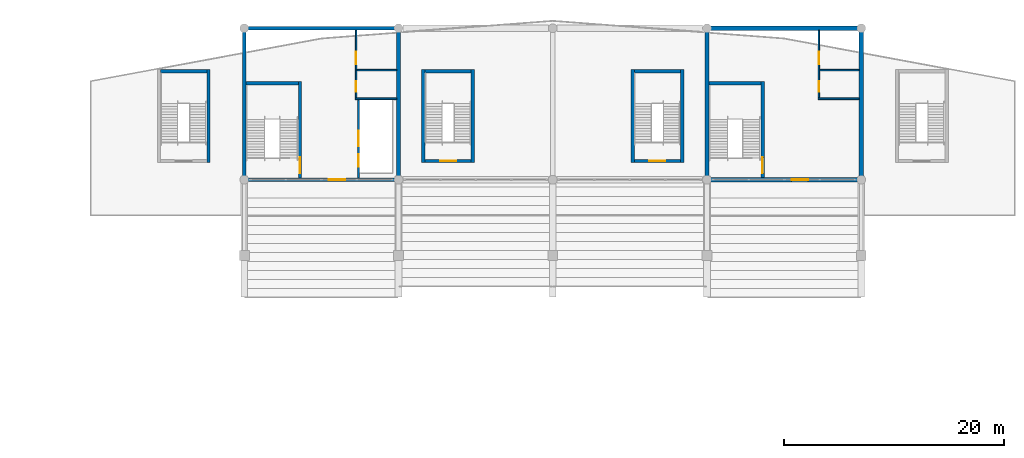
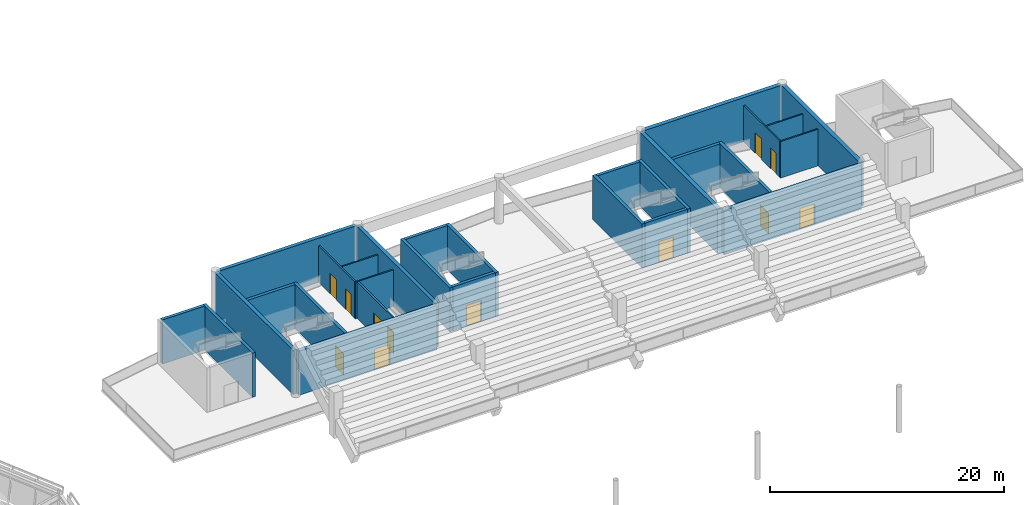
# One storey, part 76 of 94: 29 walls, 12 doors, 12 openings.
"""IFC4 building model written with IfcOpenShell, lengths in metres."""

from ifc_helpers import new_model, si_unit, direction, frame, frame_2d, origin, place, context, subcontext, project, spatial, rectangle, extrude, material, layer, layer_set, type_object, element, fill, save


model = new_model("IFC4")

# Units and contexts
model_context = context("Model", 3, precision=1e-05, world=origin(), true_north=direction((0.0, 1.0)))
body_context = subcontext(model_context, "Body", "Model", "MODEL_VIEW")
ifc_project = project(units=[si_unit("LENGTHUNIT", "METRE"), si_unit("AREAUNIT", "SQUARE_METRE"), si_unit("VOLUMEUNIT", "CUBIC_METRE"), si_unit("PLANEANGLEUNIT", "RADIAN"), si_unit("MASSUNIT", "GRAM", prefix="KILO")], contexts=[model_context])

# Site, building, storey
site_placement = place(None, origin())
site = spatial("IfcSite", under=ifc_project, at=site_placement, CompositionType="ELEMENT")
building_placement = place(site_placement, origin())
building = spatial("IfcBuilding", under=site, at=building_placement, Name="Linyun Crest Stadium", CompositionType="ELEMENT")
storey_placement = place(building_placement, frame((0.0, 0.0, 16.199951171875)))
storey = spatial("IfcBuildingStorey", under=building, at=storey_placement, Name="L04", CompositionType="ELEMENT", Elevation=16.199951171875)

# Walls
ifc_material_1 = material(Name="Concrete C50", Category="concrete")
ifc_layer_1 = layer(ifc_material_1, 0.35009765625)
ifc_layer_set_1 = layer_set([ifc_layer_1], Name="Concrete C50")
wall_type_1 = type_object("IfcWallType", Name="CW01", PredefinedType="SHEAR", material=ifc_layer_set_1)
for number, where, z_axis, x_axis, name in (
    (1, (-28.0, 91.675048828125, 0.0), (0.0, 0.0, 1.0), (0.0, 1.0, 0.0), "Core shear wall CW01 CORE-N1 L04.1"),
    (2, (-14.0, 91.675048828125, 0.0), (0.0, 0.0, 1.0), (0.0, 1.0, 0.0), "Core shear wall CW01 CORE-N1 L04.2"),
):
    element("IfcWall", number, at=place(storey_placement, frame(where, z_axis=z_axis, x_axis=x_axis)), inside=storey, type_object=wall_type_1, Name=name, PredefinedType="SHEAR", context=body_context, shape_type="SweptSolid", body=[
        extrude(rectangle(XDim=13.39990234375, YDim=0.35009765625, at=frame_2d((6.699951171875, 0.0))), origin(), (0.0, 0.0, 1.0), 4.6201171875),
    ])

# Wall, opening, door
wall_1_placement = place(storey_placement, frame((-27.824951171875, 91.5, 0.0), z_axis=(0.0, 0.0, 1.0), x_axis=(1.0, 0.0, 0.0)))
wall_1 = element("IfcWall", 3, at=wall_1_placement, inside=storey, type_object=wall_type_1, Name="Core shear wall CW01 CORE-N1 L04.3", PredefinedType="SHEAR", context=body_context, shape_type="SweptSolid", body=[
    extrude(rectangle(XDim=13.64990234375, YDim=0.35009765625, at=frame_2d((6.824951171875, 0.0))), origin(), (0.0, 0.0, 1.0), 4.6201171875),
])
opening_1_placement = place(wall_1_placement, frame((7.507080078125, 0.0, 0.0)))
opening_1 = element("IfcOpeningElement", 4, at=opening_1_placement, cuts=wall_1, Name="Opening D-L04-280", PredefinedType="OPENING", context=body_context, shape_type="SweptSolid", body=[
    extrude(rectangle(XDim=1.5, YDim=2.199951171875, at=frame_2d((0.75, 1.10009765625))), frame((0.0, 0.18505859375, 0.0), z_axis=(0.0, -1.0, 0.0), x_axis=(1.0, 0.0, 0.0)), (0.0, 0.0, 1.0), 0.3701171875),
])
ifc_material_2 = material(Name="Galvanized steel Class A fire door", Category="steel")
ifc_layer_2 = layer(ifc_material_2, 0.054931640625)
ifc_layer_set_2 = layer_set([ifc_layer_2], Name="Galvanized steel Class A fire door")
door_type_1 = type_object("IfcDoorType", Name="FD01", OperationType="NOTDEFINED", PredefinedType="DOOR", material=ifc_layer_set_2)
door_1_placement = place(opening_1_placement, origin())
door_1 = element("IfcDoor", 5, at=door_1_placement, inside=storey, type_object=door_type_1, Name="Door D-L04-280", OperationType="SINGLE_SWING_RIGHT", OverallHeight=2.199951171875, OverallWidth=1.5, PredefinedType="DOOR", context=body_context, shape_type="SweptSolid", body=[
    extrude(rectangle(XDim=1.5, YDim=2.199951171875, at=frame_2d((0.75, 1.10009765625))), frame((0.0, 0.02490234375, 0.0), z_axis=(0.0, -1.0, 0.0), x_axis=(1.0, 0.0, 0.0)), (0.0, 0.0, 1.0), 0.050048828125),
])
fill(opening_1, door_1)

# Walls
wall_2_placement = place(storey_placement, frame((-27.824951171875, 105.25, 0.0), z_axis=(0.0, 0.0, 1.0), x_axis=(1.0, 0.0, 0.0)))
element("IfcWall", 6, at=wall_2_placement, inside=storey, type_object=wall_type_1, Name="Core shear wall CW01 CORE-N1 L04.4", PredefinedType="SHEAR", context=body_context, shape_type="SweptSolid", body=[
    extrude(rectangle(XDim=13.64990234375, YDim=0.35009765625, at=frame_2d((6.824951171875, 0.0))), origin(), (0.0, 0.0, 1.0), 4.6201171875),
])
ifc_material_3 = material(Name="Concrete C50", Category="concrete")
ifc_layer_3 = layer(ifc_material_3, 0.39990234375)
ifc_layer_set_3 = layer_set([ifc_layer_3], Name="Concrete C50")
wall_type_2 = type_object("IfcWallType", Name="CW02", PredefinedType="SHEAR", material=ifc_layer_set_3)
for number, where, z_axis, x_axis, name in (
    (7, (14.0, 91.699951171875, 0.0), (0.0, 0.0, 1.0), (0.0, 1.0, 0.0), "Core shear wall CW02 CORE-N2 L04.1"),
    (8, (28.0, 91.699951171875, 0.0), (0.0, 0.0, 1.0), (0.0, 1.0, 0.0), "Core shear wall CW02 CORE-N2 L04.2"),
):
    element("IfcWall", number, at=place(storey_placement, frame(where, z_axis=z_axis, x_axis=x_axis)), inside=storey, type_object=wall_type_2, Name=name, PredefinedType="SHEAR", context=body_context, shape_type="SweptSolid", body=[
        extrude(rectangle(XDim=13.35009765625, YDim=0.39990234375, at=frame_2d((6.675048828125, 0.0))), origin(), (0.0, 0.0, 1.0), 4.6201171875),
    ])

# Wall, opening, door
wall_3_placement = place(storey_placement, frame((14.199951171875, 91.5, 0.0), z_axis=(0.0, 0.0, 1.0), x_axis=(1.0, 0.0, 0.0)))
wall_3 = element("IfcWall", 9, at=wall_3_placement, inside=storey, type_object=wall_type_2, Name="Core shear wall CW02 CORE-N2 L04.3", PredefinedType="SHEAR", context=body_context, shape_type="SweptSolid", body=[
    extrude(rectangle(XDim=13.60009765625, YDim=0.39990234375, at=frame_2d((6.800048828125, 0.0))), origin(), (0.0, 0.0, 1.0), 4.6201171875),
])
opening_2_placement = place(wall_3_placement, frame((7.47998046875, 0.0, 0.0)))
opening_2 = element("IfcOpeningElement", 10, at=opening_2_placement, cuts=wall_3, Name="Opening D-L04-308", PredefinedType="OPENING", context=body_context, shape_type="SweptSolid", body=[
    extrude(rectangle(XDim=1.5, YDim=2.199951171875, at=frame_2d((0.75, 1.10009765625))), frame((0.0, 0.2099609375, 0.0), z_axis=(0.0, -1.0, 0.0), x_axis=(1.0, 0.0, 0.0)), (0.0, 0.0, 1.0), 0.419921875),
])
door_2_placement = place(opening_2_placement, origin())
door_2 = element("IfcDoor", 11, at=door_2_placement, inside=storey, type_object=door_type_1, Name="Door D-L04-308", OperationType="SINGLE_SWING_RIGHT", OverallHeight=2.199951171875, OverallWidth=1.5, PredefinedType="DOOR", context=body_context, shape_type="SweptSolid", body=[
    extrude(rectangle(XDim=1.5, YDim=2.199951171875, at=frame_2d((0.75, 1.10009765625))), frame((0.0, 0.02490234375, 0.0), z_axis=(0.0, -1.0, 0.0), x_axis=(1.0, 0.0, 0.0)), (0.0, 0.0, 1.0), 0.050048828125),
])
fill(opening_2, door_2)

# Wall
wall_4_placement = place(storey_placement, frame((14.199951171875, 105.25, 0.0), z_axis=(0.0, 0.0, 1.0), x_axis=(1.0, 0.0, 0.0)))
element("IfcWall", 12, at=wall_4_placement, inside=storey, type_object=wall_type_2, Name="Core shear wall CW02 CORE-N2 L04.4", PredefinedType="SHEAR", context=body_context, shape_type="SweptSolid", body=[
    extrude(rectangle(XDim=13.60009765625, YDim=0.39990234375, at=frame_2d((6.800048828125, 0.0))), origin(), (0.0, 0.0, 1.0), 4.6201171875),
])

# Wall, openings, doors
ifc_material_4 = material(Name="Autoclaved aerated concrete block fire partition", Category="concrete")
ifc_layer_4 = layer(ifc_material_4, 0.179931640625)
ifc_layer_set_4 = layer_set([ifc_layer_4], Name="Autoclaved aerated concrete block fire partition")
wall_type_3 = type_object("IfcWallType", Name="PW12", PredefinedType="PARTITIONING", material=ifc_layer_set_4)
wall_5_placement = place(storey_placement, frame((-17.64990234375, 91.675048828125, 0.0), z_axis=(0.0, 0.0, 1.0), x_axis=(0.0, 1.0, 0.0)))
wall_5 = element("IfcWall", 13, at=wall_5_placement, inside=storey, type_object=wall_type_3, Name="Partition PW12 L04 101", PredefinedType="PARTITIONING", context=body_context, shape_type="SweptSolid", body=[
    extrude(rectangle(XDim=7.10498046875, YDim=0.179931640625, at=frame_2d((3.552490234375, 0.0))), origin(), (0.0, 0.0, 1.0), 3.820068359375),
])
opening_3_placement = place(wall_5_placement, frame((1.02490234375, 0.0, 0.0)))
opening_3 = element("IfcOpeningElement", 14, at=opening_3_placement, cuts=wall_5, Name="Opening LD093", PredefinedType="OPENING", context=body_context, shape_type="SweptSolid", body=[
    extrude(rectangle(XDim=1.10009765625, YDim=2.199951171875, at=frame_2d((0.550048828125, 1.10009765625))), frame((0.0, 0.099853515625, 0.0), z_axis=(0.0, -1.0, 0.0), x_axis=(1.0, 0.0, 0.0)), (0.0, 0.0, 1.0), 0.199951171875),
])
opening_4_placement = place(wall_5_placement, frame((2.875, 0.0, 0.0)))
opening_4 = element("IfcOpeningElement", 15, at=opening_4_placement, cuts=wall_5, Name="Opening LD094", PredefinedType="OPENING", context=body_context, shape_type="SweptSolid", body=[
    extrude(rectangle(XDim=1.39990234375, YDim=2.300048828125, at=frame_2d((0.699951171875, 1.14990234375))), frame((0.0, 0.099853515625, 0.0), z_axis=(0.0, -1.0, 0.0), x_axis=(1.0, 0.0, 0.0)), (0.0, 0.0, 1.0), 0.199951171875),
])
ifc_material_5 = material(Name="Brushed stainless sliding lift door")
ifc_layer_5 = layer(ifc_material_5, 0.050048828125)
ifc_layer_set_5 = layer_set([ifc_layer_5], Name="Brushed stainless sliding lift door")
door_type_2 = type_object("IfcDoorType", Name="LD01", OperationType="NOTDEFINED", PredefinedType="DOOR", material=ifc_layer_set_5)
door_3_placement = place(opening_3_placement, origin())
door_3 = element("IfcDoor", 16, at=door_3_placement, inside=storey, type_object=door_type_2, Name="Lift landing door LD093", OperationType="DOUBLE_DOOR_SLIDING", OverallHeight=2.199951171875, OverallWidth=1.10009765625, PredefinedType="DOOR", context=body_context, shape_type="SweptSolid", body=[
    extrude(rectangle(XDim=1.10009765625, YDim=2.199951171875, at=frame_2d((0.550048828125, 1.10009765625))), frame((0.0, 0.02490234375, 0.0), z_axis=(0.0, -1.0, 0.0), x_axis=(1.0, 0.0, 0.0)), (0.0, 0.0, 1.0), 0.050048828125),
])
fill(opening_3, door_3)
ifc_material_6 = material(Name="Heavy-duty stainless sliding door")
ifc_layer_6 = layer(ifc_material_6, 0.054931640625)
ifc_layer_set_6 = layer_set([ifc_layer_6], Name="Heavy-duty stainless sliding door")
door_type_3 = type_object("IfcDoorType", Name="LD03", OperationType="NOTDEFINED", PredefinedType="DOOR", material=ifc_layer_set_6)
door_4_placement = place(opening_4_placement, origin())
door_4 = element("IfcDoor", 17, at=door_4_placement, inside=storey, type_object=door_type_3, Name="Lift landing door LD094", OperationType="DOUBLE_DOOR_SLIDING", OverallHeight=2.300048828125, OverallWidth=1.39990234375, PredefinedType="DOOR", context=body_context, shape_type="SweptSolid", body=[
    extrude(rectangle(XDim=1.39990234375, YDim=2.300048828125, at=frame_2d((0.699951171875, 1.14990234375))), frame((0.0, 0.02490234375, 0.0), z_axis=(0.0, -1.0, 0.0), x_axis=(1.0, 0.0, 0.0)), (0.0, 0.0, 1.0), 0.050048828125),
])
fill(opening_4, door_4)

ifc_material_7 = material(Name="Moisture-resistant ceramic-tiled wet-room wall")
ifc_layer_7 = layer(ifc_material_7, 0.139892578125)
ifc_layer_set_7 = layer_set([ifc_layer_7], Name="Moisture-resistant ceramic-tiled wet-room wall")
wall_type_4 = type_object("IfcWallType", Name="PW15", PredefinedType="PARTITIONING", material=ifc_layer_set_7)
wall_6_placement = place(storey_placement, frame((-17.85009765625, 98.919921875, 0.0), z_axis=(0.0, 0.0, 1.0), x_axis=(0.0, 1.0, 0.0)))
wall_6 = element("IfcWall", 18, at=wall_6_placement, inside=storey, type_object=wall_type_4, Name="Partition PW15 L04 102", PredefinedType="PARTITIONING", context=body_context, shape_type="SweptSolid", body=[
    extrude(rectangle(XDim=6.155029296875, YDim=0.139892578125, at=frame_2d((3.07763671875, 0.0))), origin(), (0.0, 0.0, 1.0), 3.820068359375),
])
opening_5_placement = place(wall_6_placement, frame((0.580078125, 0.0, 0.0)))
opening_5 = element("IfcOpeningElement", 19, at=opening_5_placement, cuts=wall_6, Name="Opening D-L04-284", PredefinedType="OPENING", context=body_context, shape_type="SweptSolid", body=[
    extrude(rectangle(XDim=0.949951171875, YDim=2.14990234375, at=frame_2d((0.47509765625, 1.074951171875))), frame((0.0, 0.079833984375, 0.0), z_axis=(0.0, -1.0, 0.0), x_axis=(1.0, 0.0, 0.0)), (0.0, 0.0, 1.0), 0.159912109375),
])
opening_6_placement = place(wall_6_placement, frame((3.080078125, 0.0, 0.0)))
opening_6 = element("IfcOpeningElement", 20, at=opening_6_placement, cuts=wall_6, Name="Opening D-L04-285", PredefinedType="OPENING", context=body_context, shape_type="SweptSolid", body=[
    extrude(rectangle(XDim=1.10009765625, YDim=2.14990234375, at=frame_2d((0.550048828125, 1.074951171875))), frame((0.0, 0.079833984375, 0.0), z_axis=(0.0, -1.0, 0.0), x_axis=(1.0, 0.0, 0.0)), (0.0, 0.0, 1.0), 0.159912109375),
])
ifc_material_8 = material(Name="Moisture-resistant laminate leaf")
ifc_layer_8 = layer(ifc_material_8, 0.044921875)
ifc_layer_set_8 = layer_set([ifc_layer_8], Name="Moisture-resistant laminate leaf")
door_type_4 = type_object("IfcDoorType", Name="ID02", OperationType="NOTDEFINED", PredefinedType="DOOR", material=ifc_layer_set_8)
door_5_placement = place(opening_5_placement, origin())
door_5 = element("IfcDoor", 21, at=door_5_placement, inside=storey, type_object=door_type_4, Name="Door D-L04-284", OperationType="SINGLE_SWING_RIGHT", OverallHeight=2.14990234375, OverallWidth=0.949951171875, PredefinedType="DOOR", context=body_context, shape_type="SweptSolid", body=[
    extrude(rectangle(XDim=0.949951171875, YDim=2.14990234375, at=frame_2d((0.47509765625, 1.074951171875))), frame((0.0, 0.02490234375, 0.0), z_axis=(0.0, -1.0, 0.0), x_axis=(1.0, 0.0, 0.0)), (0.0, 0.0, 1.0), 0.050048828125),
])
fill(opening_5, door_5)
ifc_material_9 = material(Name="Moisture-resistant laminate leaf")
ifc_layer_9 = layer(ifc_material_9, 0.044921875)
ifc_layer_set_9 = layer_set([ifc_layer_9], Name="Moisture-resistant laminate leaf")
door_type_5 = type_object("IfcDoorType", Name="ID03", OperationType="NOTDEFINED", PredefinedType="DOOR", material=ifc_layer_set_9)
door_6_placement = place(opening_6_placement, origin())
door_6 = element("IfcDoor", 22, at=door_6_placement, inside=storey, type_object=door_type_5, Name="Door D-L04-285", OperationType="SINGLE_SWING_LEFT", OverallHeight=2.14990234375, OverallWidth=1.10009765625, PredefinedType="DOOR", context=body_context, shape_type="SweptSolid", body=[
    extrude(rectangle(XDim=1.10009765625, YDim=2.14990234375, at=frame_2d((0.550048828125, 1.074951171875))), frame((0.0, 0.02490234375, 0.0), z_axis=(0.0, -1.0, 0.0), x_axis=(1.0, 0.0, 0.0)), (0.0, 0.0, 1.0), 0.050048828125),
])
fill(opening_6, door_6)

wall_7_placement = place(storey_placement, frame((24.14990234375, 98.919921875, 0.0), z_axis=(0.0, 0.0, 1.0), x_axis=(0.0, 1.0, 0.0)))
wall_7 = element("IfcWall", 23, at=wall_7_placement, inside=storey, type_object=wall_type_4, Name="Partition PW15 L04 109", PredefinedType="PARTITIONING", context=body_context, shape_type="SweptSolid", body=[
    extrude(rectangle(XDim=6.130126953125, YDim=0.139892578125, at=frame_2d((3.06494140625, 0.0))), origin(), (0.0, 0.0, 1.0), 3.820068359375),
])
opening_7_placement = place(wall_7_placement, frame((0.580078125, 0.0, 0.0)))
opening_7 = element("IfcOpeningElement", 24, at=opening_7_placement, cuts=wall_7, Name="Opening D-L04-310", PredefinedType="OPENING", context=body_context, shape_type="SweptSolid", body=[
    extrude(rectangle(XDim=0.949951171875, YDim=2.14990234375, at=frame_2d((0.47509765625, 1.074951171875))), frame((0.0, 0.079833984375, 0.0), z_axis=(0.0, -1.0, 0.0), x_axis=(1.0, 0.0, 0.0)), (0.0, 0.0, 1.0), 0.159912109375),
])
opening_8_placement = place(wall_7_placement, frame((3.080078125, 0.0, 0.0)))
opening_8 = element("IfcOpeningElement", 25, at=opening_8_placement, cuts=wall_7, Name="Opening D-L04-311", PredefinedType="OPENING", context=body_context, shape_type="SweptSolid", body=[
    extrude(rectangle(XDim=1.10009765625, YDim=2.14990234375, at=frame_2d((0.550048828125, 1.074951171875))), frame((0.0, 0.079833984375, 0.0), z_axis=(0.0, -1.0, 0.0), x_axis=(1.0, 0.0, 0.0)), (0.0, 0.0, 1.0), 0.159912109375),
])
door_7_placement = place(opening_7_placement, origin())
door_7 = element("IfcDoor", 26, at=door_7_placement, inside=storey, type_object=door_type_4, Name="Door D-L04-310", OperationType="SINGLE_SWING_RIGHT", OverallHeight=2.14990234375, OverallWidth=0.949951171875, PredefinedType="DOOR", context=body_context, shape_type="SweptSolid", body=[
    extrude(rectangle(XDim=0.949951171875, YDim=2.14990234375, at=frame_2d((0.47509765625, 1.074951171875))), frame((0.0, 0.02490234375, 0.0), z_axis=(0.0, -1.0, 0.0), x_axis=(1.0, 0.0, 0.0)), (0.0, 0.0, 1.0), 0.050048828125),
])
fill(opening_7, door_7)
door_8_placement = place(opening_8_placement, origin())
door_8 = element("IfcDoor", 27, at=door_8_placement, inside=storey, type_object=door_type_5, Name="Door D-L04-311", OperationType="SINGLE_SWING_LEFT", OverallHeight=2.14990234375, OverallWidth=1.10009765625, PredefinedType="DOOR", context=body_context, shape_type="SweptSolid", body=[
    extrude(rectangle(XDim=1.10009765625, YDim=2.14990234375, at=frame_2d((0.550048828125, 1.074951171875))), frame((0.0, 0.02490234375, 0.0), z_axis=(0.0, -1.0, 0.0), x_axis=(1.0, 0.0, 0.0)), (0.0, 0.0, 1.0), 0.050048828125),
])
fill(opening_8, door_8)

# Walls
wall_8_placement = place(storey_placement, frame((-17.919921875, 98.85009765625, 0.0), z_axis=(0.0, 0.0, 1.0), x_axis=(1.0, 0.0, 0.0)))
element("IfcWall", 28, at=wall_8_placement, inside=storey, type_object=wall_type_4, Name="Enclosure partition PW15 L04 87", PredefinedType="PARTITIONING", context=body_context, shape_type="SweptSolid", body=[
    extrude(rectangle(XDim=3.744873046875, YDim=0.139892578125, at=frame_2d((1.87255859375, 0.0))), origin(), (0.0, 0.0, 1.0), 3.820068359375),
])
wall_9_placement = place(storey_placement, frame((-17.780029296875, 101.449951171875, 0.0), z_axis=(0.0, 0.0, 1.0), x_axis=(1.0, 0.0, 0.0)))
element("IfcWall", 29, at=wall_9_placement, inside=storey, type_object=wall_type_4, Name="Enclosure partition PW15 L04 88", PredefinedType="PARTITIONING", context=body_context, shape_type="SweptSolid", body=[
    extrude(rectangle(XDim=3.60498046875, YDim=0.139892578125, at=frame_2d((1.802490234375, 0.0))), origin(), (0.0, 0.0, 1.0), 3.820068359375),
])
wall_10_placement = place(storey_placement, frame((24.080078125, 98.85009765625, 0.0), z_axis=(0.0, 0.0, 1.0), x_axis=(1.0, 0.0, 0.0)))
element("IfcWall", 30, at=wall_10_placement, inside=storey, type_object=wall_type_4, Name="Enclosure partition PW15 L04 99", PredefinedType="PARTITIONING", context=body_context, shape_type="SweptSolid", body=[
    extrude(rectangle(XDim=3.719970703125, YDim=0.139892578125, at=frame_2d((1.85986328125, 0.0))), origin(), (0.0, 0.0, 1.0), 3.820068359375),
])
wall_11_placement = place(storey_placement, frame((24.219970703125, 101.449951171875, 0.0), z_axis=(0.0, 0.0, 1.0), x_axis=(1.0, 0.0, 0.0)))
element("IfcWall", 31, at=wall_11_placement, inside=storey, type_object=wall_type_4, Name="Enclosure partition PW15 L04 100", PredefinedType="PARTITIONING", context=body_context, shape_type="SweptSolid", body=[
    extrude(rectangle(XDim=3.580078125, YDim=0.139892578125, at=frame_2d((1.7900390625, 0.0))), origin(), (0.0, 0.0, 1.0), 3.820068359375),
])

# Wall, opening, door
ifc_material_10 = material(Name="Concrete C50", Category="concrete")
ifc_layer_10 = layer(ifc_material_10, 0.300048828125)
ifc_layer_set_10 = layer_set([ifc_layer_10], Name="Concrete C50")
wall_type_5 = type_object("IfcWallType", Name="SW01", PredefinedType="SHEAR", material=ifc_layer_set_10)
wall_12_placement = place(storey_placement, frame((-22.949951171875, 91.675048828125, 0.0), z_axis=(0.0, 0.0, 1.0), x_axis=(0.0, 1.0, 0.0)))
wall_12 = element("IfcWall", 32, at=wall_12_placement, inside=storey, type_object=wall_type_5, Name="Core stair east bearing wall SW01 7 L04", PredefinedType="SHEAR", context=body_context, shape_type="SweptSolid", body=[
    extrude(rectangle(XDim=8.724853515625, YDim=0.300048828125, at=frame_2d((4.3623046875, 0.0))), origin(), (0.0, 0.0, 1.0), 4.6201171875),
])
opening_9_placement = place(wall_12_placement, frame((0.39501953125, 0.0, 0.0)))
opening_9 = element("IfcOpeningElement", 33, at=opening_9_placement, cuts=wall_12, Name="Opening D-L04-281", PredefinedType="OPENING", context=body_context, shape_type="SweptSolid", body=[
    extrude(rectangle(XDim=1.449951171875, YDim=2.199951171875, at=frame_2d((0.72509765625, 1.10009765625))), frame((0.0, 0.159912109375, 0.0), z_axis=(0.0, -1.0, 0.0), x_axis=(1.0, 0.0, 0.0)), (0.0, 0.0, 1.0), 0.320068359375),
])
ifc_material_11 = material(Name="Galvanized steel Class A fire door", Category="steel")
ifc_layer_11 = layer(ifc_material_11, 0.054931640625)
ifc_layer_set_11 = layer_set([ifc_layer_11], Name="Galvanized steel Class A fire door")
door_type_6 = type_object("IfcDoorType", Name="FD02", OperationType="NOTDEFINED", PredefinedType="DOOR", material=ifc_layer_set_11)
door_9_placement = place(opening_9_placement, origin())
door_9 = element("IfcDoor", 34, at=door_9_placement, inside=storey, type_object=door_type_6, Name="Door D-L04-281", OperationType="SINGLE_SWING_LEFT", OverallHeight=2.199951171875, OverallWidth=1.449951171875, PredefinedType="DOOR", context=body_context, shape_type="SweptSolid", body=[
    extrude(rectangle(XDim=1.449951171875, YDim=2.199951171875, at=frame_2d((0.72509765625, 1.10009765625))), frame((0.0, 0.02490234375, 0.0), z_axis=(0.0, -1.0, 0.0), x_axis=(1.0, 0.0, 0.0)), (0.0, 0.0, 1.0), 0.050048828125),
])
fill(opening_9, door_9)

wall_13_placement = place(storey_placement, frame((19.050048828125, 91.699951171875, 0.0), z_axis=(0.0, 0.0, 1.0), x_axis=(0.0, 1.0, 0.0)))
wall_13 = element("IfcWall", 35, at=wall_13_placement, inside=storey, type_object=wall_type_5, Name="Core stair east bearing wall SW01 8 L04", PredefinedType="SHEAR", context=body_context, shape_type="SweptSolid", body=[
    extrude(rectangle(XDim=8.699951171875, YDim=0.300048828125, at=frame_2d((4.35009765625, 0.0))), origin(), (0.0, 0.0, 1.0), 4.6201171875),
])
opening_10_placement = place(wall_13_placement, frame((0.3701171875, 0.0, 0.0)))
opening_10 = element("IfcOpeningElement", 36, at=opening_10_placement, cuts=wall_13, Name="Opening D-L04-309", PredefinedType="OPENING", context=body_context, shape_type="SweptSolid", body=[
    extrude(rectangle(XDim=1.449951171875, YDim=2.199951171875, at=frame_2d((0.72509765625, 1.10009765625))), frame((0.0, 0.159912109375, 0.0), z_axis=(0.0, -1.0, 0.0), x_axis=(1.0, 0.0, 0.0)), (0.0, 0.0, 1.0), 0.320068359375),
])
door_10_placement = place(opening_10_placement, origin())
door_10 = element("IfcDoor", 37, at=door_10_placement, inside=storey, type_object=door_type_6, Name="Door D-L04-309", OperationType="SINGLE_SWING_LEFT", OverallHeight=2.199951171875, OverallWidth=1.449951171875, PredefinedType="DOOR", context=body_context, shape_type="SweptSolid", body=[
    extrude(rectangle(XDim=1.449951171875, YDim=2.199951171875, at=frame_2d((0.72509765625, 1.10009765625))), frame((0.0, 0.02490234375, 0.0), z_axis=(0.0, -1.0, 0.0), x_axis=(1.0, 0.0, 0.0)), (0.0, 0.0, 1.0), 0.050048828125),
])
fill(opening_10, door_10)

# Walls
wall_14_placement = place(storey_placement, frame((-27.824951171875, 100.25, 0.0), z_axis=(0.0, 0.0, 1.0), x_axis=(1.0, 0.0, 0.0)))
element("IfcWall", 38, at=wall_14_placement, inside=storey, type_object=wall_type_5, Name="Core stair bearing wall SW01 7 L04", PredefinedType="SHEAR", context=body_context, shape_type="SweptSolid", body=[
    extrude(rectangle(XDim=4.724853515625, YDim=0.300048828125, at=frame_2d((2.3623046875, 0.0))), origin(), (0.0, 0.0, 1.0), 4.6201171875),
])
wall_15_placement = place(storey_placement, frame((14.199951171875, 100.25, 0.0), z_axis=(0.0, 0.0, 1.0), x_axis=(1.0, 0.0, 0.0)))
element("IfcWall", 39, at=wall_15_placement, inside=storey, type_object=wall_type_5, Name="Core stair bearing wall SW01 8 L04", PredefinedType="SHEAR", context=body_context, shape_type="SweptSolid", body=[
    extrude(rectangle(XDim=4.699951171875, YDim=0.300048828125, at=frame_2d((2.35009765625, 0.0))), origin(), (0.0, 0.0, 1.0), 4.6201171875),
])
wall_16_placement = place(storey_placement, frame((-35.60009765625, 101.35009765625, 0.0), z_axis=(0.0, 0.0, 1.0), x_axis=(1.0, 0.0, 0.0)))
element("IfcWall", 40, at=wall_16_placement, inside=storey, type_object=wall_type_5, Name="Stair shaft wall SW01 STR-23 L04 N", PredefinedType="SHEAR", context=body_context, shape_type="SweptSolid", body=[
    extrude(rectangle(XDim=4.2001953125, YDim=0.300048828125, at=frame_2d((2.10009765625, 0.0))), origin(), (0.0, 0.0, 1.0), 4.6201171875),
])
wall_17_placement = place(storey_placement, frame((-31.25, 93.050048828125, 0.0), z_axis=(0.0, 0.0, 1.0), x_axis=(0.0, 1.0, 0.0)))
element("IfcWall", 41, at=wall_17_placement, inside=storey, type_object=wall_type_5, Name="Stair shaft wall SW01 STR-23 L04 E", PredefinedType="SHEAR", context=body_context, shape_type="SweptSolid", body=[
    extrude(rectangle(XDim=8.449951171875, YDim=0.300048828125, at=frame_2d((4.22509765625, 0.0))), origin(), (0.0, 0.0, 1.0), 4.6201171875),
])

# Wall, opening, door
wall_18_placement = place(storey_placement, frame((-11.60009765625, 93.199951171875, 0.0), z_axis=(0.0, 0.0, 1.0), x_axis=(1.0, 0.0, 0.0)))
wall_18 = element("IfcWall", 42, at=wall_18_placement, inside=storey, type_object=wall_type_5, Name="Stair shaft wall SW01 STR-24 L04 S", PredefinedType="SHEAR", context=body_context, shape_type="SweptSolid", body=[
    extrude(rectangle(XDim=4.2001953125, YDim=0.300048828125, at=frame_2d((2.10009765625, 0.0))), origin(), (0.0, 0.0, 1.0), 4.6201171875),
])
opening_11_placement = place(wall_18_placement, frame((1.375, 0.0, 0.0)))
opening_11 = element("IfcOpeningElement", 43, at=opening_11_placement, cuts=wall_18, Name="Opening D-L04-603", PredefinedType="OPENING", context=body_context, shape_type="SweptSolid", body=[
    extrude(rectangle(XDim=1.449951171875, YDim=2.199951171875, at=frame_2d((0.72509765625, 1.10009765625))), frame((0.0, 0.159912109375, 0.0), z_axis=(0.0, -1.0, 0.0), x_axis=(1.0, 0.0, 0.0)), (0.0, 0.0, 1.0), 0.320068359375),
])
door_11_placement = place(opening_11_placement, origin())
door_11 = element("IfcDoor", 44, at=door_11_placement, inside=storey, type_object=door_type_6, Name="Door D-L04-603", OperationType="SINGLE_SWING_LEFT", OverallHeight=2.199951171875, OverallWidth=1.449951171875, PredefinedType="DOOR", context=body_context, shape_type="SweptSolid", body=[
    extrude(rectangle(XDim=1.449951171875, YDim=2.199951171875, at=frame_2d((0.72509765625, 1.10009765625))), frame((0.0, 0.02490234375, 0.0), z_axis=(0.0, -1.0, 0.0), x_axis=(1.0, 0.0, 0.0)), (0.0, 0.0, 1.0), 0.050048828125),
])
fill(opening_11, door_11)

# Walls
wall_19_placement = place(storey_placement, frame((-11.60009765625, 101.35009765625, 0.0), z_axis=(0.0, 0.0, 1.0), x_axis=(1.0, 0.0, 0.0)))
element("IfcWall", 45, at=wall_19_placement, inside=storey, type_object=wall_type_5, Name="Stair shaft wall SW01 STR-24 L04 N", PredefinedType="SHEAR", context=body_context, shape_type="SweptSolid", body=[
    extrude(rectangle(XDim=4.2001953125, YDim=0.300048828125, at=frame_2d((2.10009765625, 0.0))), origin(), (0.0, 0.0, 1.0), 4.6201171875),
])
for number, where, z_axis, x_axis, name in (
    (46, (-11.75, 93.050048828125, 0.0), (0.0, 0.0, 1.0), (0.0, 1.0, 0.0), "Stair shaft wall SW01 STR-24 L04 W"),
    (47, (-7.25, 93.050048828125, 0.0), (0.0, 0.0, 1.0), (0.0, 1.0, 0.0), "Stair shaft wall SW01 STR-24 L04 E"),
):
    element("IfcWall", number, at=place(storey_placement, frame(where, z_axis=z_axis, x_axis=x_axis)), inside=storey, type_object=wall_type_5, Name=name, PredefinedType="SHEAR", context=body_context, shape_type="SweptSolid", body=[
        extrude(rectangle(XDim=8.449951171875, YDim=0.300048828125, at=frame_2d((4.22509765625, 0.0))), origin(), (0.0, 0.0, 1.0), 4.6201171875),
    ])

# Wall, opening, door
wall_20_placement = place(storey_placement, frame((7.39990234375, 93.199951171875, 0.0), z_axis=(0.0, 0.0, 1.0), x_axis=(1.0, 0.0, 0.0)))
wall_20 = element("IfcWall", 48, at=wall_20_placement, inside=storey, type_object=wall_type_5, Name="Stair shaft wall SW01 STR-25 L04 S", PredefinedType="SHEAR", context=body_context, shape_type="SweptSolid", body=[
    extrude(rectangle(XDim=4.2001953125, YDim=0.300048828125, at=frame_2d((2.10009765625, 0.0))), origin(), (0.0, 0.0, 1.0), 4.6201171875),
])
opening_12_placement = place(wall_20_placement, frame((1.375, 0.0, 0.0)))
opening_12 = element("IfcOpeningElement", 49, at=opening_12_placement, cuts=wall_20, Name="Opening D-L04-608", PredefinedType="OPENING", context=body_context, shape_type="SweptSolid", body=[
    extrude(rectangle(XDim=1.449951171875, YDim=2.199951171875, at=frame_2d((0.72509765625, 1.10009765625))), frame((0.0, 0.159912109375, 0.0), z_axis=(0.0, -1.0, 0.0), x_axis=(1.0, 0.0, 0.0)), (0.0, 0.0, 1.0), 0.320068359375),
])
door_12_placement = place(opening_12_placement, origin())
door_12 = element("IfcDoor", 50, at=door_12_placement, inside=storey, type_object=door_type_6, Name="Door D-L04-608", OperationType="SINGLE_SWING_RIGHT", OverallHeight=2.199951171875, OverallWidth=1.449951171875, PredefinedType="DOOR", context=body_context, shape_type="SweptSolid", body=[
    extrude(rectangle(XDim=1.449951171875, YDim=2.199951171875, at=frame_2d((0.72509765625, 1.10009765625))), frame((0.0, 0.02490234375, 0.0), z_axis=(0.0, -1.0, 0.0), x_axis=(1.0, 0.0, 0.0)), (0.0, 0.0, 1.0), 0.050048828125),
])
fill(opening_12, door_12)

# Walls
wall_21_placement = place(storey_placement, frame((7.39990234375, 101.35009765625, 0.0), z_axis=(0.0, 0.0, 1.0), x_axis=(1.0, 0.0, 0.0)))
element("IfcWall", 51, at=wall_21_placement, inside=storey, type_object=wall_type_5, Name="Stair shaft wall SW01 STR-25 L04 N", PredefinedType="SHEAR", context=body_context, shape_type="SweptSolid", body=[
    extrude(rectangle(XDim=4.2001953125, YDim=0.300048828125, at=frame_2d((2.10009765625, 0.0))), origin(), (0.0, 0.0, 1.0), 4.6201171875),
])
for number, where, z_axis, x_axis, name in (
    (52, (7.25, 93.050048828125, 0.0), (0.0, 0.0, 1.0), (0.0, 1.0, 0.0), "Stair shaft wall SW01 STR-25 L04 W"),
    (53, (11.75, 93.050048828125, 0.0), (0.0, 0.0, 1.0), (0.0, 1.0, 0.0), "Stair shaft wall SW01 STR-25 L04 E"),
):
    element("IfcWall", number, at=place(storey_placement, frame(where, z_axis=z_axis, x_axis=x_axis)), inside=storey, type_object=wall_type_5, Name=name, PredefinedType="SHEAR", context=body_context, shape_type="SweptSolid", body=[
        extrude(rectangle(XDim=8.449951171875, YDim=0.300048828125, at=frame_2d((4.22509765625, 0.0))), origin(), (0.0, 0.0, 1.0), 4.6201171875),
    ])

save(model, "model.ifc")
